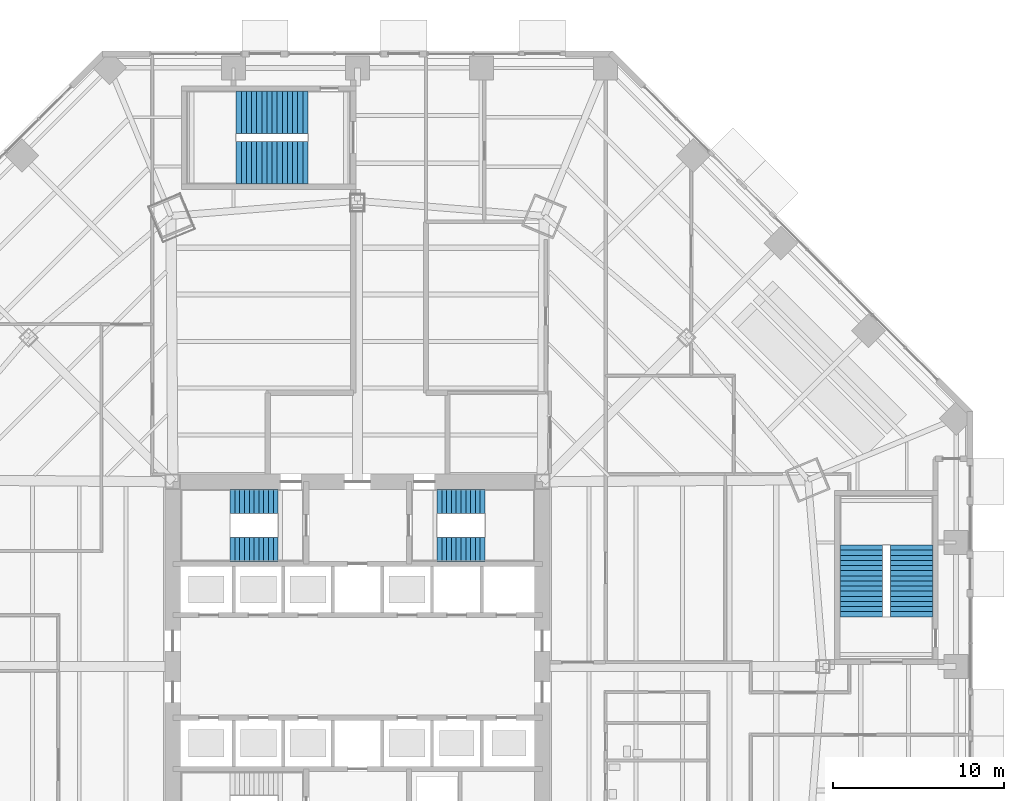
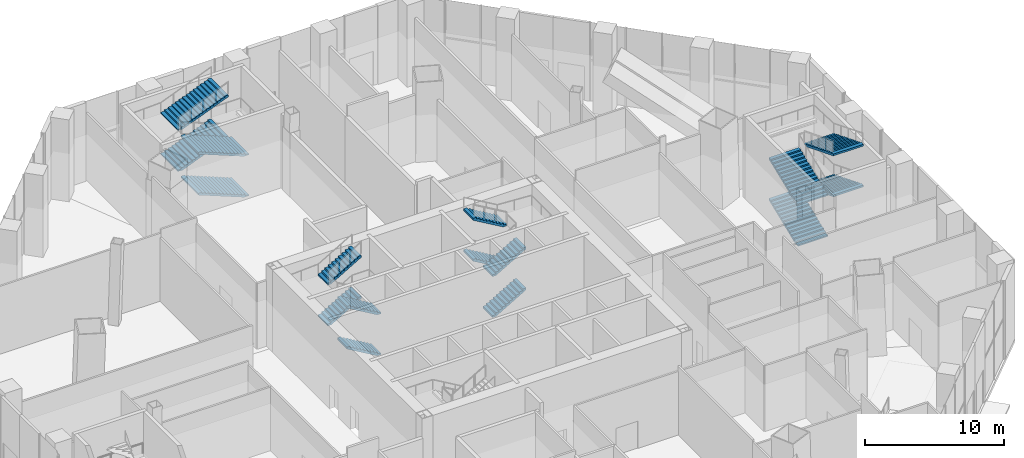
# One storey, part 27 of 35: 16 stair flights, 4 elements without a shape of their own.
"""IFC4 building model written with IfcOpenShell, lengths in metres."""

from ifc_helpers import new_model, si_unit, direction, frame, origin, place, context, subcontext, project, spatial, polyline, outline, extrude, material, type_object, element, aggregate, save


model = new_model("IFC4")

# Units and contexts
model_context = context("Model", 3, precision=1e-05, world=origin(), true_north=direction((0.0, 1.0)))
body_context = subcontext(model_context, "Body", "Model", "MODEL_VIEW")
ifc_project = project(units=[si_unit("LENGTHUNIT", "METRE"), si_unit("AREAUNIT", "SQUARE_METRE"), si_unit("VOLUMEUNIT", "CUBIC_METRE"), si_unit("PLANEANGLEUNIT", "RADIAN"), si_unit("MASSUNIT", "GRAM", prefix="KILO")], contexts=[model_context])

# Site, building, storey
site_placement = place(None, origin())
site = spatial("IfcSite", under=ifc_project, at=site_placement, CompositionType="ELEMENT")
building_placement = place(site_placement, origin())
building = spatial("IfcBuilding", under=site, at=building_placement, Name="Mashrafa Tower", CompositionType="ELEMENT")
storey_placement = place(building_placement, origin())
storey = spatial("IfcBuildingStorey", under=building, at=storey_placement, Name="L00", CompositionType="ELEMENT", Elevation=0.0)

# Stair, stair flights
ifc_material_1 = material(Name="Exit stair 1400")
stair_type_1 = type_object("IfcStairType", Name="Exit stair 1400", PredefinedType="HALF_TURN_STAIR", material=ifc_material_1)
stair_1_placement = place(storey_placement, origin())
stair_1 = element("IfcStair", 1, at=stair_1_placement, inside=storey, type_object=stair_type_1, Name="Stair S1 L00", PredefinedType="HALF_TURN_STAIR")
ifc_material_2 = material(Name="Concrete C32/40", Category="concrete")
stair_flight_type_1 = type_object("IfcStairFlightType", Name="Stair flight 1400", PredefinedType="STRAIGHT", material=ifc_material_2)
stair_flight_1_placement = place(storey_placement, frame((-4.64990234375, 6.85009765625, 0.0), z_axis=(0.0, 0.0, 1.0), x_axis=(-1.0, 0.0, 0.0)))
stair_flight_1 = element("IfcStairFlight", 2, at=stair_flight_1_placement, type_object=stair_flight_type_1, Name="S1 flight 1", NumberOfRisers=11, NumberOfTreads=10, PredefinedType="STRAIGHT", RiserHeight=0.163636364, TreadLength=0.28, context=body_context, shape_type="SweptSolid", body=[
    extrude(outline(polyline([(0.0, 0.0), (0.0, 0.16357421875), (0.280029296875, 0.16357421875), (0.280029296875, 0.327392578125), (0.56005859375, 0.327392578125), (0.56005859375, 0.490966796875), (0.840087890625, 0.490966796875), (0.840087890625, 0.654541015625), (1.1201171875, 0.654541015625), (1.1201171875, 0.818115234375), (1.39990234375, 0.818115234375), (1.39990234375, 0.98193359375), (1.679931640625, 0.98193359375), (1.679931640625, 1.1455078125), (1.9599609375, 1.1455078125), (1.9599609375, 1.30908203125), (2.239990234375, 1.30908203125), (2.239990234375, 1.47265625), (2.52001953125, 1.47265625), (2.52001953125, 1.636474609375), (2.800048828125, 1.636474609375), (2.800048828125, 1.800048828125), (2.800048828125, 1.462646484375), (0.297119140625, 0.0), (0.0, 0.0)])), frame((0.0, 0.699951171875, 0.0), z_axis=(0.0, -1.0, 0.0), x_axis=(1.0, 0.0, 0.0)), (0.0, 0.0, 1.0), 1.39990234375),
])
stair_flight_2_placement = place(storey_placement, frame((-7.449951171875, 9.64990234375, 1.800048828125), z_axis=(0.0, 0.0, 1.0), x_axis=(1.0, 0.0, 0.0)))
stair_flight_2 = element("IfcStairFlight", 3, at=stair_flight_2_placement, type_object=stair_flight_type_1, Name="S1 flight 2", NumberOfRisers=11, NumberOfTreads=10, PredefinedType="STRAIGHT", RiserHeight=0.163636364, TreadLength=0.28, context=body_context, shape_type="SweptSolid", body=[
    extrude(outline(polyline([(0.0, 0.0), (0.0, 0.16357421875), (0.280029296875, 0.16357421875), (0.280029296875, 0.327392578125), (0.56005859375, 0.327392578125), (0.56005859375, 0.490966796875), (0.840087890625, 0.490966796875), (0.840087890625, 0.654541015625), (1.1201171875, 0.654541015625), (1.1201171875, 0.818115234375), (1.39990234375, 0.818115234375), (1.39990234375, 0.98193359375), (1.679931640625, 0.98193359375), (1.679931640625, 1.1455078125), (1.9599609375, 1.1455078125), (1.9599609375, 1.30908203125), (2.239990234375, 1.30908203125), (2.239990234375, 1.47265625), (2.52001953125, 1.47265625), (2.52001953125, 1.636474609375), (2.800048828125, 1.636474609375), (2.800048828125, 1.800048828125), (2.800048828125, 1.462646484375), (0.297119140625, 0.0), (0.0, 0.0)])), frame((0.0, 0.699951171875, 0.0), z_axis=(0.0, -1.0, 0.0), x_axis=(1.0, 0.0, 0.0)), (0.0, 0.0, 1.0), 1.39990234375),
])
stair_flight_3_placement = place(storey_placement, frame((-4.64990234375, 6.85009765625, 3.60009765625), z_axis=(0.0, 0.0, 1.0), x_axis=(-1.0, 0.0, 0.0)))
stair_flight_3 = element("IfcStairFlight", 4, at=stair_flight_3_placement, type_object=stair_flight_type_1, Name="S1 flight 3", NumberOfRisers=11, NumberOfTreads=10, PredefinedType="STRAIGHT", RiserHeight=0.163636364, TreadLength=0.28, context=body_context, shape_type="SweptSolid", body=[
    extrude(outline(polyline([(0.0, 0.0), (0.0, 0.16357421875), (0.280029296875, 0.16357421875), (0.280029296875, 0.327392578125), (0.56005859375, 0.327392578125), (0.56005859375, 0.490966796875), (0.840087890625, 0.490966796875), (0.840087890625, 0.654541015625), (1.1201171875, 0.654541015625), (1.1201171875, 0.818115234375), (1.39990234375, 0.818115234375), (1.39990234375, 0.98193359375), (1.679931640625, 0.98193359375), (1.679931640625, 1.1455078125), (1.9599609375, 1.1455078125), (1.9599609375, 1.30908203125), (2.239990234375, 1.30908203125), (2.239990234375, 1.47265625), (2.52001953125, 1.47265625), (2.52001953125, 1.636474609375), (2.800048828125, 1.636474609375), (2.800048828125, 1.800048828125), (2.800048828125, 1.462646484375), (0.297119140625, 0.0), (0.0, 0.0)])), frame((0.0, 0.699951171875, 0.0), z_axis=(0.0, -1.0, 0.0), x_axis=(1.0, 0.0, 0.0)), (0.0, 0.0, 1.0), 1.39990234375),
])
stair_flight_4_placement = place(storey_placement, frame((-7.449951171875, 9.64990234375, 5.39990234375), z_axis=(0.0, 0.0, 1.0), x_axis=(1.0, 0.0, 0.0)))
stair_flight_4 = element("IfcStairFlight", 5, at=stair_flight_4_placement, type_object=stair_flight_type_1, Name="S1 flight 4", NumberOfRisers=11, NumberOfTreads=10, PredefinedType="STRAIGHT", RiserHeight=0.163636364, TreadLength=0.28, context=body_context, shape_type="SweptSolid", body=[
    extrude(outline(polyline([(0.0, 0.0), (0.0, 0.16357421875), (0.280029296875, 0.16357421875), (0.280029296875, 0.327392578125), (0.56005859375, 0.327392578125), (0.56005859375, 0.490966796875), (0.840087890625, 0.490966796875), (0.840087890625, 0.654541015625), (1.1201171875, 0.654541015625), (1.1201171875, 0.818115234375), (1.39990234375, 0.818115234375), (1.39990234375, 0.98193359375), (1.679931640625, 0.98193359375), (1.679931640625, 1.1455078125), (1.9599609375, 1.1455078125), (1.9599609375, 1.30908203125), (2.239990234375, 1.30908203125), (2.239990234375, 1.47265625), (2.52001953125, 1.47265625), (2.52001953125, 1.636474609375), (2.800048828125, 1.636474609375), (2.800048828125, 1.800048828125), (2.800048828125, 1.462646484375), (0.297119140625, 0.0), (0.0, 0.0)])), frame((0.0, 0.699951171875, 0.0), z_axis=(0.0, -1.0, 0.0), x_axis=(1.0, 0.0, 0.0)), (0.0, 0.0, 1.0), 1.39990234375),
])
aggregate(stair_1, [stair_flight_1, stair_flight_2, stair_flight_3, stair_flight_4])

stair_2_placement = place(storey_placement, origin())
stair_2 = element("IfcStair", 6, at=stair_2_placement, inside=storey, type_object=stair_type_1, Name="Stair S2 L00", PredefinedType="HALF_TURN_STAIR")
stair_flight_5_placement = place(storey_placement, frame((4.64990234375, 6.85009765625, 0.0), z_axis=(0.0, 0.0, 1.0), x_axis=(1.0, 0.0, 0.0)))
stair_flight_5 = element("IfcStairFlight", 7, at=stair_flight_5_placement, type_object=stair_flight_type_1, Name="S2 flight 1", NumberOfRisers=11, NumberOfTreads=10, PredefinedType="STRAIGHT", RiserHeight=0.163636364, TreadLength=0.28, context=body_context, shape_type="SweptSolid", body=[
    extrude(outline(polyline([(0.0, 0.0), (0.0, 0.16357421875), (0.280029296875, 0.16357421875), (0.280029296875, 0.327392578125), (0.56005859375, 0.327392578125), (0.56005859375, 0.490966796875), (0.840087890625, 0.490966796875), (0.840087890625, 0.654541015625), (1.1201171875, 0.654541015625), (1.1201171875, 0.818115234375), (1.39990234375, 0.818115234375), (1.39990234375, 0.98193359375), (1.679931640625, 0.98193359375), (1.679931640625, 1.1455078125), (1.9599609375, 1.1455078125), (1.9599609375, 1.30908203125), (2.239990234375, 1.30908203125), (2.239990234375, 1.47265625), (2.52001953125, 1.47265625), (2.52001953125, 1.636474609375), (2.800048828125, 1.636474609375), (2.800048828125, 1.800048828125), (2.800048828125, 1.462646484375), (0.297119140625, 0.0), (0.0, 0.0)])), frame((0.0, 0.699951171875, 0.0), z_axis=(0.0, -1.0, 0.0), x_axis=(1.0, 0.0, 0.0)), (0.0, 0.0, 1.0), 1.39990234375),
])
stair_flight_6_placement = place(storey_placement, frame((7.449951171875, 9.64990234375, 1.800048828125), z_axis=(0.0, 0.0, 1.0), x_axis=(-1.0, 0.0, 0.0)))
stair_flight_6 = element("IfcStairFlight", 8, at=stair_flight_6_placement, type_object=stair_flight_type_1, Name="S2 flight 2", NumberOfRisers=11, NumberOfTreads=10, PredefinedType="STRAIGHT", RiserHeight=0.163636364, TreadLength=0.28, context=body_context, shape_type="SweptSolid", body=[
    extrude(outline(polyline([(0.0, 0.0), (0.0, 0.16357421875), (0.280029296875, 0.16357421875), (0.280029296875, 0.327392578125), (0.56005859375, 0.327392578125), (0.56005859375, 0.490966796875), (0.840087890625, 0.490966796875), (0.840087890625, 0.654541015625), (1.1201171875, 0.654541015625), (1.1201171875, 0.818115234375), (1.39990234375, 0.818115234375), (1.39990234375, 0.98193359375), (1.679931640625, 0.98193359375), (1.679931640625, 1.1455078125), (1.9599609375, 1.1455078125), (1.9599609375, 1.30908203125), (2.239990234375, 1.30908203125), (2.239990234375, 1.47265625), (2.52001953125, 1.47265625), (2.52001953125, 1.636474609375), (2.800048828125, 1.636474609375), (2.800048828125, 1.800048828125), (2.800048828125, 1.462646484375), (0.297119140625, 0.0), (0.0, 0.0)])), frame((0.0, 0.699951171875, 0.0), z_axis=(0.0, -1.0, 0.0), x_axis=(1.0, 0.0, 0.0)), (0.0, 0.0, 1.0), 1.39990234375),
])
stair_flight_7_placement = place(storey_placement, frame((4.64990234375, 6.85009765625, 3.60009765625), z_axis=(0.0, 0.0, 1.0), x_axis=(1.0, 0.0, 0.0)))
stair_flight_7 = element("IfcStairFlight", 9, at=stair_flight_7_placement, type_object=stair_flight_type_1, Name="S2 flight 3", NumberOfRisers=11, NumberOfTreads=10, PredefinedType="STRAIGHT", RiserHeight=0.163636364, TreadLength=0.28, context=body_context, shape_type="SweptSolid", body=[
    extrude(outline(polyline([(0.0, 0.0), (0.0, 0.16357421875), (0.280029296875, 0.16357421875), (0.280029296875, 0.327392578125), (0.56005859375, 0.327392578125), (0.56005859375, 0.490966796875), (0.840087890625, 0.490966796875), (0.840087890625, 0.654541015625), (1.1201171875, 0.654541015625), (1.1201171875, 0.818115234375), (1.39990234375, 0.818115234375), (1.39990234375, 0.98193359375), (1.679931640625, 0.98193359375), (1.679931640625, 1.1455078125), (1.9599609375, 1.1455078125), (1.9599609375, 1.30908203125), (2.239990234375, 1.30908203125), (2.239990234375, 1.47265625), (2.52001953125, 1.47265625), (2.52001953125, 1.636474609375), (2.800048828125, 1.636474609375), (2.800048828125, 1.800048828125), (2.800048828125, 1.462646484375), (0.297119140625, 0.0), (0.0, 0.0)])), frame((0.0, 0.699951171875, 0.0), z_axis=(0.0, -1.0, 0.0), x_axis=(1.0, 0.0, 0.0)), (0.0, 0.0, 1.0), 1.39990234375),
])
stair_flight_8_placement = place(storey_placement, frame((7.449951171875, 9.64990234375, 5.39990234375), z_axis=(0.0, 0.0, 1.0), x_axis=(-1.0, 0.0, 0.0)))
stair_flight_8 = element("IfcStairFlight", 10, at=stair_flight_8_placement, type_object=stair_flight_type_1, Name="S2 flight 4", NumberOfRisers=11, NumberOfTreads=10, PredefinedType="STRAIGHT", RiserHeight=0.163636364, TreadLength=0.28, context=body_context, shape_type="SweptSolid", body=[
    extrude(outline(polyline([(0.0, 0.0), (0.0, 0.16357421875), (0.280029296875, 0.16357421875), (0.280029296875, 0.327392578125), (0.56005859375, 0.327392578125), (0.56005859375, 0.490966796875), (0.840087890625, 0.490966796875), (0.840087890625, 0.654541015625), (1.1201171875, 0.654541015625), (1.1201171875, 0.818115234375), (1.39990234375, 0.818115234375), (1.39990234375, 0.98193359375), (1.679931640625, 0.98193359375), (1.679931640625, 1.1455078125), (1.9599609375, 1.1455078125), (1.9599609375, 1.30908203125), (2.239990234375, 1.30908203125), (2.239990234375, 1.47265625), (2.52001953125, 1.47265625), (2.52001953125, 1.636474609375), (2.800048828125, 1.636474609375), (2.800048828125, 1.800048828125), (2.800048828125, 1.462646484375), (0.297119140625, 0.0), (0.0, 0.0)])), frame((0.0, 0.699951171875, 0.0), z_axis=(0.0, -1.0, 0.0), x_axis=(1.0, 0.0, 0.0)), (0.0, 0.0, 1.0), 1.39990234375),
])
aggregate(stair_2, [stair_flight_5, stair_flight_6, stair_flight_7, stair_flight_8])

ifc_material_3 = material(Name="Exit stair 2500")
stair_type_2 = type_object("IfcStairType", Name="Exit stair 2500", PredefinedType="HALF_TURN_STAIR", material=ifc_material_3)
stair_3_placement = place(storey_placement, origin())
stair_3 = element("IfcStair", 11, at=stair_3_placement, inside=storey, type_object=stair_type_2, Name="Stair P1 L00", PredefinedType="HALF_TURN_STAIR")
ifc_material_4 = material(Name="Concrete C32/40", Category="concrete")
stair_flight_type_2 = type_object("IfcStairFlightType", Name="Stair flight 2500", PredefinedType="STRAIGHT", material=ifc_material_4)
stair_flight_9_placement = place(storey_placement, frame((29.449951171875, 2.89990234375, 0.0), z_axis=(0.0, 0.0, 1.0), x_axis=(0.0, 1.0, 0.0)))
stair_flight_9 = element("IfcStairFlight", 12, at=stair_flight_9_placement, type_object=stair_flight_type_2, Name="P1 flight 1", NumberOfRisers=15, NumberOfTreads=14, PredefinedType="STRAIGHT", RiserHeight=0.12, TreadLength=0.3, context=body_context, shape_type="SweptSolid", body=[
    extrude(outline(polyline([(0.0, 0.0), (0.0, 0.1201171875), (0.300048828125, 0.1201171875), (0.300048828125, 0.239990234375), (0.60009765625, 0.239990234375), (0.60009765625, 0.360107421875), (0.89990234375, 0.360107421875), (0.89990234375, 0.47998046875), (1.199951171875, 0.47998046875), (1.199951171875, 0.60009765625), (1.5, 0.60009765625), (1.5, 0.719970703125), (1.800048828125, 0.719970703125), (1.800048828125, 0.840087890625), (2.10009765625, 0.840087890625), (2.10009765625, 0.9599609375), (2.39990234375, 0.9599609375), (2.39990234375, 1.080078125), (2.699951171875, 1.080078125), (2.699951171875, 1.199951171875), (3.0, 1.199951171875), (3.0, 1.320068359375), (3.300048828125, 1.320068359375), (3.300048828125, 1.43994140625), (3.60009765625, 1.43994140625), (3.60009765625, 1.56005859375), (3.89990234375, 1.56005859375), (3.89990234375, 1.679931640625), (4.199951171875, 1.679931640625), (4.199951171875, 1.800048828125), (4.199951171875, 1.5185546875), (0.403564453125, 0.0), (0.0, 0.0)])), frame((0.0, 1.25, 0.0), z_axis=(0.0, -1.0, 0.0), x_axis=(1.0, 0.0, 0.0)), (0.0, 0.0, 1.0), 2.5),
])
stair_flight_10_placement = place(storey_placement, frame((32.39990234375, 7.10009765625, 1.800048828125), z_axis=(0.0, 0.0, 1.0), x_axis=(0.0, -1.0, 0.0)))
stair_flight_10 = element("IfcStairFlight", 13, at=stair_flight_10_placement, type_object=stair_flight_type_2, Name="P1 flight 2", NumberOfRisers=15, NumberOfTreads=14, PredefinedType="STRAIGHT", RiserHeight=0.12, TreadLength=0.3, context=body_context, shape_type="SweptSolid", body=[
    extrude(outline(polyline([(0.0, 0.0), (0.0, 0.1201171875), (0.300048828125, 0.1201171875), (0.300048828125, 0.239990234375), (0.60009765625, 0.239990234375), (0.60009765625, 0.360107421875), (0.89990234375, 0.360107421875), (0.89990234375, 0.47998046875), (1.199951171875, 0.47998046875), (1.199951171875, 0.60009765625), (1.5, 0.60009765625), (1.5, 0.719970703125), (1.800048828125, 0.719970703125), (1.800048828125, 0.840087890625), (2.10009765625, 0.840087890625), (2.10009765625, 0.9599609375), (2.39990234375, 0.9599609375), (2.39990234375, 1.080078125), (2.699951171875, 1.080078125), (2.699951171875, 1.199951171875), (3.0, 1.199951171875), (3.0, 1.320068359375), (3.300048828125, 1.320068359375), (3.300048828125, 1.43994140625), (3.60009765625, 1.43994140625), (3.60009765625, 1.56005859375), (3.89990234375, 1.56005859375), (3.89990234375, 1.679931640625), (4.199951171875, 1.679931640625), (4.199951171875, 1.800048828125), (4.199951171875, 1.5185546875), (0.403564453125, 0.0), (0.0, 0.0)])), frame((0.0, 1.25, 0.0), z_axis=(0.0, -1.0, 0.0), x_axis=(1.0, 0.0, 0.0)), (0.0, 0.0, 1.0), 2.5),
])
stair_flight_11_placement = place(storey_placement, frame((29.449951171875, 2.89990234375, 3.60009765625), z_axis=(0.0, 0.0, 1.0), x_axis=(0.0, 1.0, 0.0)))
stair_flight_11 = element("IfcStairFlight", 14, at=stair_flight_11_placement, type_object=stair_flight_type_2, Name="P1 flight 3", NumberOfRisers=15, NumberOfTreads=14, PredefinedType="STRAIGHT", RiserHeight=0.12, TreadLength=0.3, context=body_context, shape_type="SweptSolid", body=[
    extrude(outline(polyline([(0.0, 0.0), (0.0, 0.1201171875), (0.300048828125, 0.1201171875), (0.300048828125, 0.239990234375), (0.60009765625, 0.239990234375), (0.60009765625, 0.360107421875), (0.89990234375, 0.360107421875), (0.89990234375, 0.47998046875), (1.199951171875, 0.47998046875), (1.199951171875, 0.60009765625), (1.5, 0.60009765625), (1.5, 0.719970703125), (1.800048828125, 0.719970703125), (1.800048828125, 0.840087890625), (2.10009765625, 0.840087890625), (2.10009765625, 0.9599609375), (2.39990234375, 0.9599609375), (2.39990234375, 1.080078125), (2.699951171875, 1.080078125), (2.699951171875, 1.199951171875), (3.0, 1.199951171875), (3.0, 1.320068359375), (3.300048828125, 1.320068359375), (3.300048828125, 1.43994140625), (3.60009765625, 1.43994140625), (3.60009765625, 1.56005859375), (3.89990234375, 1.56005859375), (3.89990234375, 1.679931640625), (4.199951171875, 1.679931640625), (4.199951171875, 1.800048828125), (4.199951171875, 1.5185546875), (0.403564453125, 0.0), (0.0, 0.0)])), frame((0.0, 1.25, 0.0), z_axis=(0.0, -1.0, 0.0), x_axis=(1.0, 0.0, 0.0)), (0.0, 0.0, 1.0), 2.5),
])
stair_flight_12_placement = place(storey_placement, frame((32.39990234375, 7.10009765625, 5.39990234375), z_axis=(0.0, 0.0, 1.0), x_axis=(0.0, -1.0, 0.0)))
stair_flight_12 = element("IfcStairFlight", 15, at=stair_flight_12_placement, type_object=stair_flight_type_2, Name="P1 flight 4", NumberOfRisers=15, NumberOfTreads=14, PredefinedType="STRAIGHT", RiserHeight=0.12, TreadLength=0.3, context=body_context, shape_type="SweptSolid", body=[
    extrude(outline(polyline([(0.0, 0.0), (0.0, 0.1201171875), (0.300048828125, 0.1201171875), (0.300048828125, 0.239990234375), (0.60009765625, 0.239990234375), (0.60009765625, 0.360107421875), (0.89990234375, 0.360107421875), (0.89990234375, 0.47998046875), (1.199951171875, 0.47998046875), (1.199951171875, 0.60009765625), (1.5, 0.60009765625), (1.5, 0.719970703125), (1.800048828125, 0.719970703125), (1.800048828125, 0.840087890625), (2.10009765625, 0.840087890625), (2.10009765625, 0.9599609375), (2.39990234375, 0.9599609375), (2.39990234375, 1.080078125), (2.699951171875, 1.080078125), (2.699951171875, 1.199951171875), (3.0, 1.199951171875), (3.0, 1.320068359375), (3.300048828125, 1.320068359375), (3.300048828125, 1.43994140625), (3.60009765625, 1.43994140625), (3.60009765625, 1.56005859375), (3.89990234375, 1.56005859375), (3.89990234375, 1.679931640625), (4.199951171875, 1.679931640625), (4.199951171875, 1.800048828125), (4.199951171875, 1.5185546875), (0.403564453125, 0.0), (0.0, 0.0)])), frame((0.0, 1.25, 0.0), z_axis=(0.0, -1.0, 0.0), x_axis=(1.0, 0.0, 0.0)), (0.0, 0.0, 1.0), 2.5),
])
aggregate(stair_3, [stair_flight_9, stair_flight_10, stair_flight_11, stair_flight_12])

stair_4_placement = place(storey_placement, origin())
stair_4 = element("IfcStair", 16, at=stair_4_placement, inside=storey, type_object=stair_type_2, Name="Stair P2 L00", PredefinedType="HALF_TURN_STAIR")
stair_flight_13_placement = place(storey_placement, frame((-2.89990234375, 29.449951171875, 0.0), z_axis=(0.0, 0.0, 1.0), x_axis=(-1.0, 0.0, 0.0)))
stair_flight_13 = element("IfcStairFlight", 17, at=stair_flight_13_placement, type_object=stair_flight_type_2, Name="P2 flight 1", NumberOfRisers=15, NumberOfTreads=14, PredefinedType="STRAIGHT", RiserHeight=0.12, TreadLength=0.3, context=body_context, shape_type="SweptSolid", body=[
    extrude(outline(polyline([(0.0, 0.0), (0.0, 0.1201171875), (0.300048828125, 0.1201171875), (0.300048828125, 0.239990234375), (0.60009765625, 0.239990234375), (0.60009765625, 0.360107421875), (0.89990234375, 0.360107421875), (0.89990234375, 0.47998046875), (1.199951171875, 0.47998046875), (1.199951171875, 0.60009765625), (1.5, 0.60009765625), (1.5, 0.719970703125), (1.800048828125, 0.719970703125), (1.800048828125, 0.840087890625), (2.10009765625, 0.840087890625), (2.10009765625, 0.9599609375), (2.39990234375, 0.9599609375), (2.39990234375, 1.080078125), (2.699951171875, 1.080078125), (2.699951171875, 1.199951171875), (3.0, 1.199951171875), (3.0, 1.320068359375), (3.300048828125, 1.320068359375), (3.300048828125, 1.43994140625), (3.60009765625, 1.43994140625), (3.60009765625, 1.56005859375), (3.89990234375, 1.56005859375), (3.89990234375, 1.679931640625), (4.199951171875, 1.679931640625), (4.199951171875, 1.800048828125), (4.199951171875, 1.5185546875), (0.403564453125, 0.0), (0.0, 0.0)])), frame((0.0, 1.25, 0.0), z_axis=(0.0, -1.0, 0.0), x_axis=(1.0, 0.0, 0.0)), (0.0, 0.0, 1.0), 2.5),
])
stair_flight_14_placement = place(storey_placement, frame((-7.10009765625, 32.39990234375, 1.800048828125), z_axis=(0.0, 0.0, 1.0), x_axis=(1.0, 0.0, 0.0)))
stair_flight_14 = element("IfcStairFlight", 18, at=stair_flight_14_placement, type_object=stair_flight_type_2, Name="P2 flight 2", NumberOfRisers=15, NumberOfTreads=14, PredefinedType="STRAIGHT", RiserHeight=0.12, TreadLength=0.3, context=body_context, shape_type="SweptSolid", body=[
    extrude(outline(polyline([(0.0, 0.0), (0.0, 0.1201171875), (0.300048828125, 0.1201171875), (0.300048828125, 0.239990234375), (0.60009765625, 0.239990234375), (0.60009765625, 0.360107421875), (0.89990234375, 0.360107421875), (0.89990234375, 0.47998046875), (1.199951171875, 0.47998046875), (1.199951171875, 0.60009765625), (1.5, 0.60009765625), (1.5, 0.719970703125), (1.800048828125, 0.719970703125), (1.800048828125, 0.840087890625), (2.10009765625, 0.840087890625), (2.10009765625, 0.9599609375), (2.39990234375, 0.9599609375), (2.39990234375, 1.080078125), (2.699951171875, 1.080078125), (2.699951171875, 1.199951171875), (3.0, 1.199951171875), (3.0, 1.320068359375), (3.300048828125, 1.320068359375), (3.300048828125, 1.43994140625), (3.60009765625, 1.43994140625), (3.60009765625, 1.56005859375), (3.89990234375, 1.56005859375), (3.89990234375, 1.679931640625), (4.199951171875, 1.679931640625), (4.199951171875, 1.800048828125), (4.199951171875, 1.5185546875), (0.403564453125, 0.0), (0.0, 0.0)])), frame((0.0, 1.25, 0.0), z_axis=(0.0, -1.0, 0.0), x_axis=(1.0, 0.0, 0.0)), (0.0, 0.0, 1.0), 2.5),
])
stair_flight_15_placement = place(storey_placement, frame((-2.89990234375, 29.449951171875, 3.60009765625), z_axis=(0.0, 0.0, 1.0), x_axis=(-1.0, 0.0, 0.0)))
stair_flight_15 = element("IfcStairFlight", 19, at=stair_flight_15_placement, type_object=stair_flight_type_2, Name="P2 flight 3", NumberOfRisers=15, NumberOfTreads=14, PredefinedType="STRAIGHT", RiserHeight=0.12, TreadLength=0.3, context=body_context, shape_type="SweptSolid", body=[
    extrude(outline(polyline([(0.0, 0.0), (0.0, 0.1201171875), (0.300048828125, 0.1201171875), (0.300048828125, 0.239990234375), (0.60009765625, 0.239990234375), (0.60009765625, 0.360107421875), (0.89990234375, 0.360107421875), (0.89990234375, 0.47998046875), (1.199951171875, 0.47998046875), (1.199951171875, 0.60009765625), (1.5, 0.60009765625), (1.5, 0.719970703125), (1.800048828125, 0.719970703125), (1.800048828125, 0.840087890625), (2.10009765625, 0.840087890625), (2.10009765625, 0.9599609375), (2.39990234375, 0.9599609375), (2.39990234375, 1.080078125), (2.699951171875, 1.080078125), (2.699951171875, 1.199951171875), (3.0, 1.199951171875), (3.0, 1.320068359375), (3.300048828125, 1.320068359375), (3.300048828125, 1.43994140625), (3.60009765625, 1.43994140625), (3.60009765625, 1.56005859375), (3.89990234375, 1.56005859375), (3.89990234375, 1.679931640625), (4.199951171875, 1.679931640625), (4.199951171875, 1.800048828125), (4.199951171875, 1.5185546875), (0.403564453125, 0.0), (0.0, 0.0)])), frame((0.0, 1.25, 0.0), z_axis=(0.0, -1.0, 0.0), x_axis=(1.0, 0.0, 0.0)), (0.0, 0.0, 1.0), 2.5),
])
stair_flight_16_placement = place(storey_placement, frame((-7.10009765625, 32.39990234375, 5.39990234375), z_axis=(0.0, 0.0, 1.0), x_axis=(1.0, 0.0, 0.0)))
stair_flight_16 = element("IfcStairFlight", 20, at=stair_flight_16_placement, type_object=stair_flight_type_2, Name="P2 flight 4", NumberOfRisers=15, NumberOfTreads=14, PredefinedType="STRAIGHT", RiserHeight=0.12, TreadLength=0.3, context=body_context, shape_type="SweptSolid", body=[
    extrude(outline(polyline([(0.0, 0.0), (0.0, 0.1201171875), (0.300048828125, 0.1201171875), (0.300048828125, 0.239990234375), (0.60009765625, 0.239990234375), (0.60009765625, 0.360107421875), (0.89990234375, 0.360107421875), (0.89990234375, 0.47998046875), (1.199951171875, 0.47998046875), (1.199951171875, 0.60009765625), (1.5, 0.60009765625), (1.5, 0.719970703125), (1.800048828125, 0.719970703125), (1.800048828125, 0.840087890625), (2.10009765625, 0.840087890625), (2.10009765625, 0.9599609375), (2.39990234375, 0.9599609375), (2.39990234375, 1.080078125), (2.699951171875, 1.080078125), (2.699951171875, 1.199951171875), (3.0, 1.199951171875), (3.0, 1.320068359375), (3.300048828125, 1.320068359375), (3.300048828125, 1.43994140625), (3.60009765625, 1.43994140625), (3.60009765625, 1.56005859375), (3.89990234375, 1.56005859375), (3.89990234375, 1.679931640625), (4.199951171875, 1.679931640625), (4.199951171875, 1.800048828125), (4.199951171875, 1.5185546875), (0.403564453125, 0.0), (0.0, 0.0)])), frame((0.0, 1.25, 0.0), z_axis=(0.0, -1.0, 0.0), x_axis=(1.0, 0.0, 0.0)), (0.0, 0.0, 1.0), 2.5),
])
aggregate(stair_4, [stair_flight_13, stair_flight_14, stair_flight_15, stair_flight_16])

save(model, "model.ifc")
